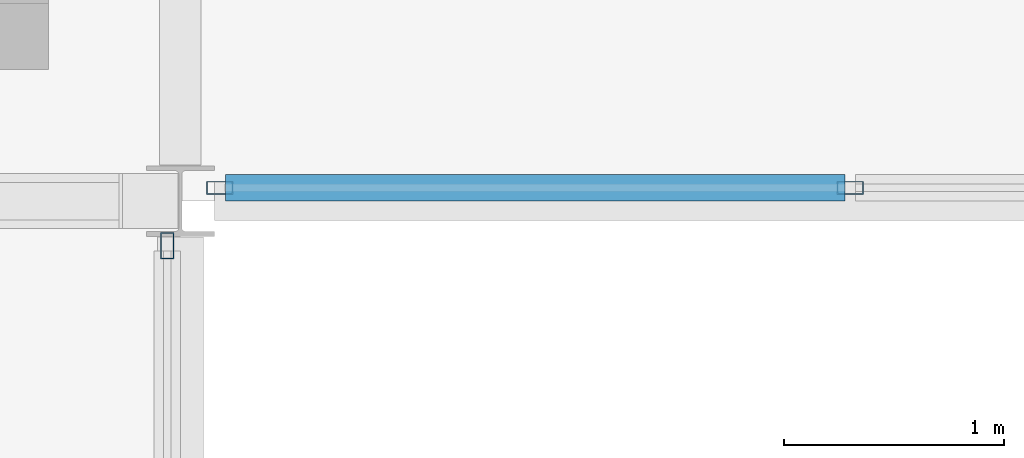
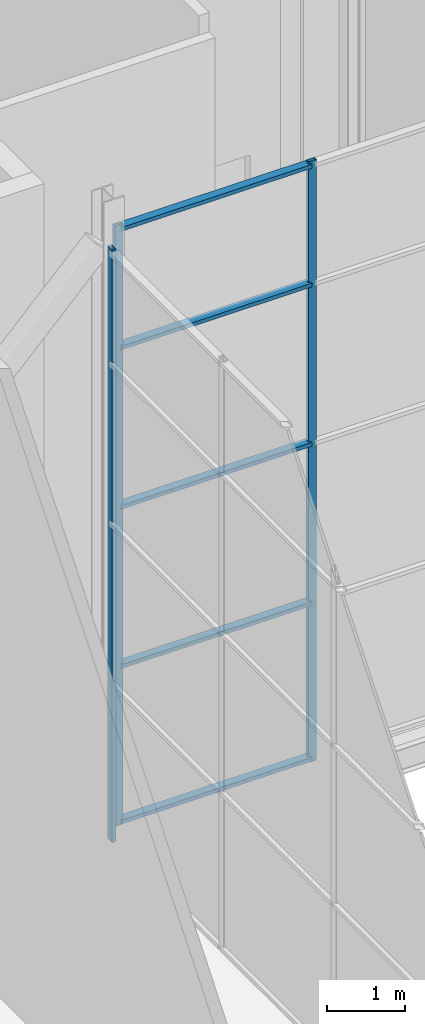
# One storey, part 38 of 111: 8 members, 2 elements without a shape of their own.
"""IFC4 building model written with IfcOpenShell, lengths in metres."""

from ifc_helpers import new_model, si_unit, direction, frame, origin, origin_2d, place, context, subcontext, project, spatial, hollow_rectangle, extrude, material, layer, layer_set, material_profile, profile_set, type_object, element, aggregate, save


model = new_model("IFC4")

# Units and contexts
model_context = context("Model", 3, precision=1e-05, world=origin(), true_north=direction((0.0, 1.0)))
body_context = subcontext(model_context, "Body", "Model", "MODEL_VIEW")
ifc_project = project(units=[si_unit("LENGTHUNIT", "METRE"), si_unit("AREAUNIT", "SQUARE_METRE"), si_unit("VOLUMEUNIT", "CUBIC_METRE"), si_unit("PLANEANGLEUNIT", "RADIAN"), si_unit("MASSUNIT", "GRAM", prefix="KILO")], contexts=[model_context])

# Site, building, storey
site_placement = place(None, origin())
site = spatial("IfcSite", under=ifc_project, at=site_placement, CompositionType="ELEMENT")
building_placement = place(site_placement, origin())
building = spatial("IfcBuilding", under=site, at=building_placement, Name="Shorebreak Coast Museum", CompositionType="ELEMENT")
storey_placement = place(building_placement, frame((0.0, 0.0, 16.0)))
storey = spatial("IfcBuildingStorey", under=building, at=storey_placement, Name="L03", CompositionType="ELEMENT", Elevation=16.0)

# Curtain wall, members
ifc_material_1 = material(Name="Aluminium", Category="aluminium")
ifc_layer = layer(ifc_material_1, 0.1201171875)
ifc_layer_set = layer_set([ifc_layer], Name="Aluminium")
curtain_wall_type = type_object("IfcCurtainWallType", Name="Atrium fire screen", PredefinedType="NOTDEFINED", material=ifc_layer_set)
curtain_wall_1_placement = place(storey_placement, origin())
curtain_wall_1 = element("IfcCurtainWall", 1, at=curtain_wall_1_placement, inside=storey, type_object=curtain_wall_type, Name="Atrium screen L03 N 39", PredefinedType="NOTDEFINED")
ifc_material_2 = material(Name="Aluminium", Category="aluminium")
ifc_material_profile_1 = material_profile(ifc_material_2, hollow_rectangle(XDim=0.06005859375, YDim=0.1201171875, WallThickness=0.00341796875, at=origin_2d()), Name="AL 120x60 RHS")
ifc_profile_set_1 = profile_set([ifc_material_profile_1], Name="Aluminium")
member_type_1 = type_object("IfcMemberType", Name="Screen mullion 50 x 120", PredefinedType="MULLION", material=ifc_profile_set_1)
member_1_placement = place(storey_placement, frame((63.179443359375, 81.06005859375, 0.0), z_axis=(0.0, 0.0, 1.0), x_axis=(0.0, 1.0, 0.0)))
member_1 = element("IfcMember", 2, at=member_1_placement, type_object=member_type_1, Name="CW4 mullion 1", PredefinedType="MULLION", context=body_context, shape_type="SweptSolid", body=[
    extrude(hollow_rectangle(XDim=0.06005859375, YDim=0.1201171875, WallThickness=0.00341796875, at=origin_2d()), origin(), (0.0, 0.0, 1.0), 9.42236328125),
])
member_2_placement = place(storey_placement, frame((66.051513671875, 81.06005859375, 0.0), z_axis=(0.0, 0.0, 1.0), x_axis=(0.0, 1.0, 0.0)))
member_2 = element("IfcMember", 3, at=member_2_placement, type_object=member_type_1, Name="CW4 mullion 2", PredefinedType="MULLION", context=body_context, shape_type="SweptSolid", body=[
    extrude(hollow_rectangle(XDim=0.06005859375, YDim=0.1201171875, WallThickness=0.00341796875, at=origin_2d()), origin(), (0.0, 0.0, 1.0), 9.42236328125),
])

# Curtain wall, member
curtain_wall_2_placement = place(storey_placement, origin())
curtain_wall_2 = element("IfcCurtainWall", 4, at=curtain_wall_2_placement, inside=storey, type_object=curtain_wall_type, Name="Atrium screen L03 W 46", PredefinedType="NOTDEFINED")
member_3_placement = place(storey_placement, frame((62.93994140625, 80.796630859375, 0.0), z_axis=(0.0, 0.0, 1.0), x_axis=(-1.0, 0.0, 0.0)))
member_3 = element("IfcMember", 5, at=member_3_placement, type_object=member_type_1, Name="CW5 mullion 4", PredefinedType="MULLION", context=body_context, shape_type="SweptSolid", body=[
    extrude(hollow_rectangle(XDim=0.06005859375, YDim=0.1201171875, WallThickness=0.00341796875, at=origin_2d()), origin(), (0.0, 0.0, 1.0), 9.296875),
])
aggregate(curtain_wall_2, [member_3])

# Member
ifc_material_3 = material(Name="Aluminium", Category="aluminium")
ifc_material_profile_2 = material_profile(ifc_material_3, hollow_rectangle(XDim=0.1201171875, YDim=0.06005859375, WallThickness=0.00341796875, at=origin_2d()), Name="AL 60x120 RHS")
ifc_profile_set_2 = profile_set([ifc_material_profile_2], Name="Aluminium")
member_type_2 = type_object("IfcMemberType", Name="Screen transom 120 x 50", PredefinedType="USERDEFINED", material=ifc_profile_set_2)
member_4_placement = place(storey_placement, frame((63.20458984375, 81.06005859375, 0.06005859375), z_axis=(1.0, 0.0, 0.0), x_axis=(0.0, 1.0, 0.0)))
member_4 = element("IfcMember", 6, at=member_4_placement, type_object=member_type_2, Name="CW4 transom 1.1", ObjectType="TRANSOM", PredefinedType="USERDEFINED", context=body_context, shape_type="SweptSolid", body=[
    extrude(hollow_rectangle(XDim=0.1201171875, YDim=0.06005859375, WallThickness=0.00341796875, at=origin_2d()), origin(), (0.0, 0.0, 1.0), 2.822021484375),
])

member_5_placement = place(storey_placement, frame((63.20458984375, 81.06005859375, 2.5), z_axis=(1.0, 0.0, 0.0), x_axis=(0.0, 1.0, 0.0)))
member_5 = element("IfcMember", 7, at=member_5_placement, type_object=member_type_2, Name="CW4 transom 1.2", ObjectType="TRANSOM", PredefinedType="USERDEFINED", context=body_context, shape_type="SweptSolid", body=[
    extrude(hollow_rectangle(XDim=0.1201171875, YDim=0.06005859375, WallThickness=0.00341796875, at=origin_2d()), origin(), (0.0, 0.0, 1.0), 2.822021484375),
])

member_6_placement = place(storey_placement, frame((63.20458984375, 81.06005859375, 5.0), z_axis=(1.0, 0.0, 0.0), x_axis=(0.0, 1.0, 0.0)))
member_6 = element("IfcMember", 8, at=member_6_placement, type_object=member_type_2, Name="CW4 transom 1.3", ObjectType="TRANSOM", PredefinedType="USERDEFINED", context=body_context, shape_type="SweptSolid", body=[
    extrude(hollow_rectangle(XDim=0.1201171875, YDim=0.06005859375, WallThickness=0.00341796875, at=origin_2d()), origin(), (0.0, 0.0, 1.0), 2.822021484375),
])

member_7_placement = place(storey_placement, frame((63.20458984375, 81.06005859375, 7.5), z_axis=(1.0, 0.0, 0.0), x_axis=(0.0, 1.0, 0.0)))
member_7 = element("IfcMember", 9, at=member_7_placement, type_object=member_type_2, Name="CW4 transom 1.4", ObjectType="TRANSOM", PredefinedType="USERDEFINED", context=body_context, shape_type="SweptSolid", body=[
    extrude(hollow_rectangle(XDim=0.1201171875, YDim=0.06005859375, WallThickness=0.00341796875, at=origin_2d()), origin(), (0.0, 0.0, 1.0), 2.822021484375),
])

member_8_placement = place(storey_placement, frame((63.20458984375, 81.06005859375, 9.3623046875), z_axis=(1.0, 0.0, 0.0), x_axis=(0.0, 1.0, 0.0)))
member_8 = element("IfcMember", 10, at=member_8_placement, type_object=member_type_2, Name="CW4 transom 1.5", ObjectType="TRANSOM", PredefinedType="USERDEFINED", context=body_context, shape_type="SweptSolid", body=[
    extrude(hollow_rectangle(XDim=0.1201171875, YDim=0.06005859375, WallThickness=0.00341796875, at=origin_2d()), origin(), (0.0, 0.0, 1.0), 2.822021484375),
])

aggregate(curtain_wall_1, [member_1, member_2, member_4, member_5, member_6, member_7, member_8])

save(model, "model.ifc")
